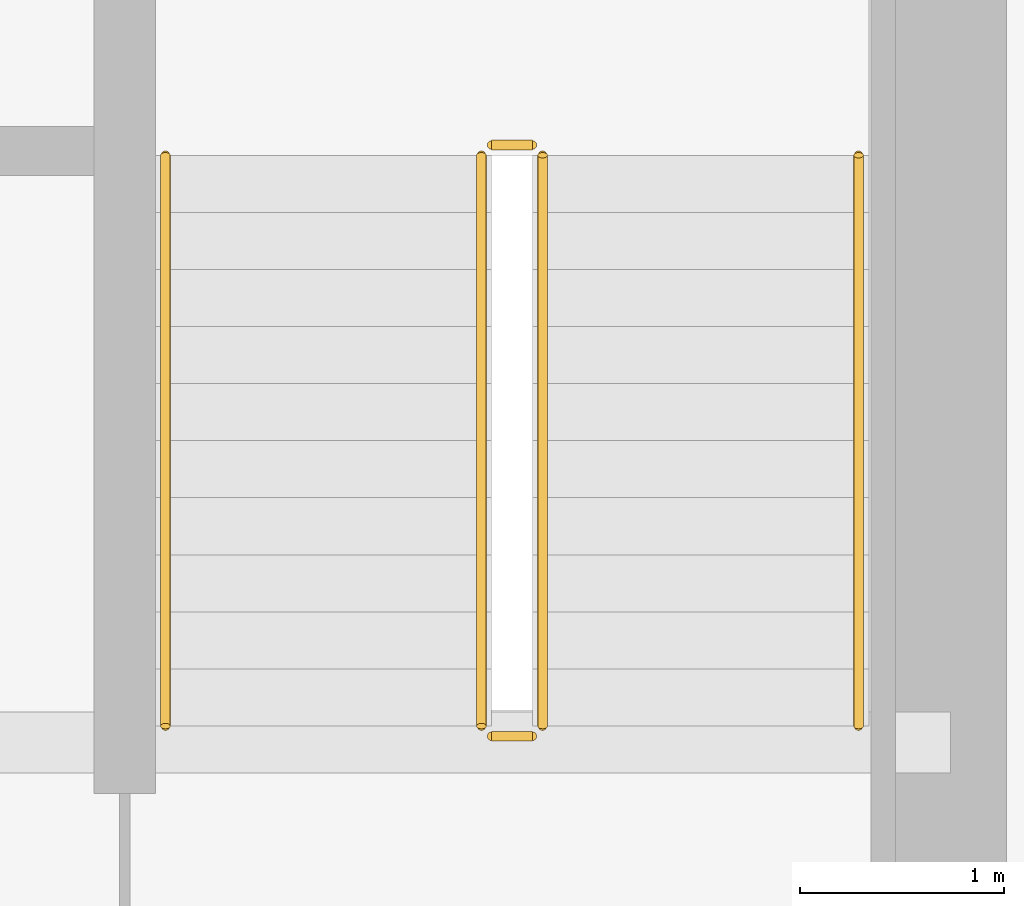
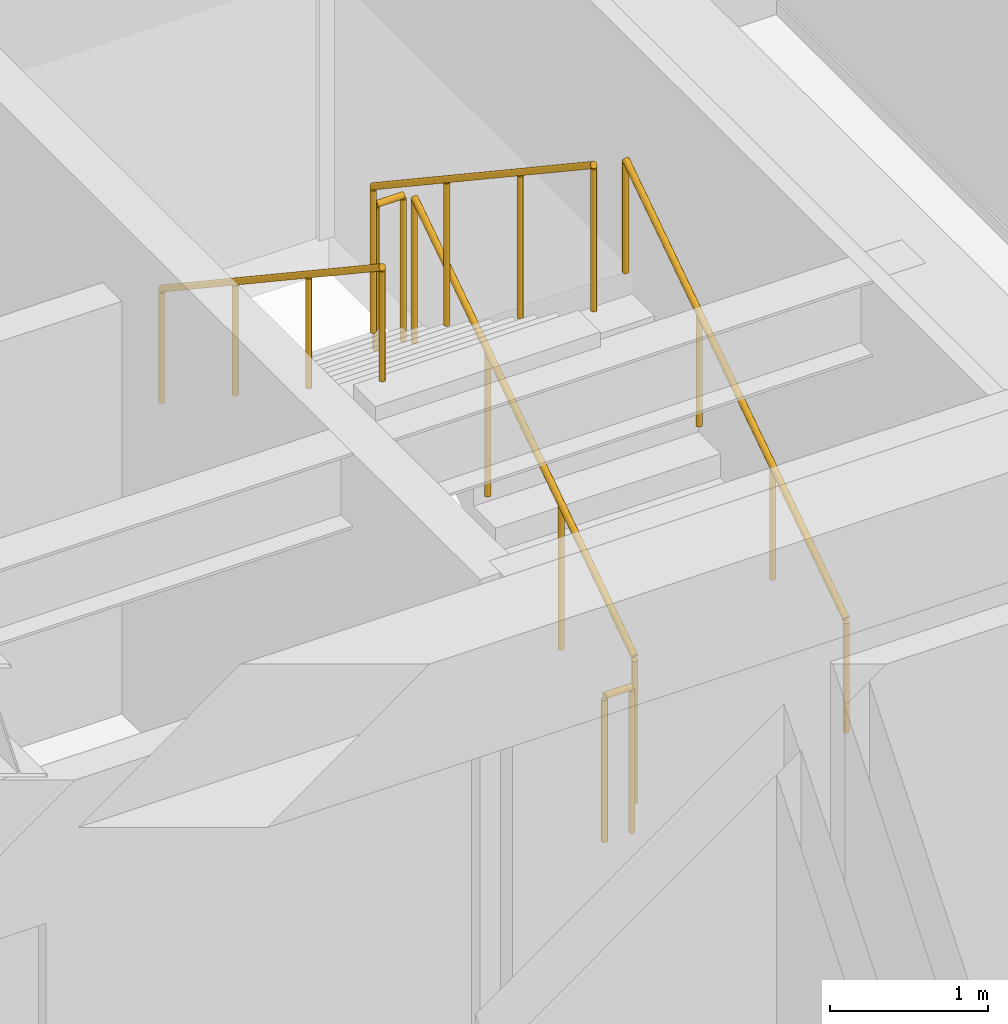
# One storey, part 33 of 33: 6 railings.
"""IFC4 building model written with IfcOpenShell, lengths in metres."""

from ifc_helpers import new_model, si_unit, direction, frame, origin, origin_2d, place, context, subcontext, project, spatial, circle, extrude, source, transform, mapped, material, type_object, type_shapes, element, save


model = new_model("IFC4")

# Units and contexts
model_context = context("Model", 3, precision=1e-05, world=origin(), true_north=direction((0.0, 1.0)))
body_context = subcontext(model_context, "Body", "Model", "MODEL_VIEW")
ifc_project = project(units=[si_unit("LENGTHUNIT", "METRE"), si_unit("AREAUNIT", "SQUARE_METRE"), si_unit("VOLUMEUNIT", "CUBIC_METRE"), si_unit("PLANEANGLEUNIT", "RADIAN"), si_unit("MASSUNIT", "GRAM", prefix="KILO")], contexts=[model_context])

# Site, building, storey
site_placement = place(None, origin())
site = spatial("IfcSite", under=ifc_project, at=site_placement, CompositionType="ELEMENT")
building_placement = place(site_placement, origin())
building = spatial("IfcBuilding", under=site, at=building_placement, Name="Haelvirn Gate Laboratories", CompositionType="ELEMENT")
storey_placement = place(building_placement, frame((0.0, 0.0, 250.60009765625)))
storey = spatial("IfcBuildingStorey", under=building, at=storey_placement, Name="L60", CompositionType="ELEMENT", Elevation=250.60009765625)

# Railings
ifc_material_1 = material(Name="Galvanised steel SM355 & stainless top rail", Category="steel")
railing_type_1 = type_object("IfcRailingType", Name="RL-GUARD-1150", PredefinedType="GUARDRAIL", material=ifc_material_1)
shared_shape_1 = source(origin(), body_context, "Body", "SweptSolid", [
    extrude(circle(Radius=0.02392578125, at=origin_2d()), frame((0.0, 0.0, 1.1259765625), z_axis=(0.0, 0.832485552168, 0.554046753832), x_axis=(-1.0, 0.0, 0.0)), (0.0, 0.0, 1.0), 3.363525390625),
    extrude(circle(Radius=0.02099609375, at=origin_2d()), origin(), (0.0, 0.0, 1.0), 1.101806640625),
    extrude(circle(Radius=0.02099609375, at=origin_2d()), frame((0.0, 0.933349609375, 0.62109375)), (0.0, 0.0, 1.0), 1.101806640625),
    extrude(circle(Radius=0.02099609375, at=origin_2d()), frame((0.0, 1.86669921875, 1.242431640625)), (0.0, 0.0, 1.0), 1.101806640625),
    extrude(circle(Radius=0.02099609375, at=origin_2d()), frame((0.0, 2.800048828125, 1.863525390625)), (0.0, 0.0, 1.0), 1.101806640625),
])
railing_1_placement = place(storey_placement, frame((65.39990234375, 26.699951171875, 0.186279296875)))
element("IfcRailing", 1, at=railing_1_placement, inside=storey, type_object=railing_type_1, Name="L60 ST2 stair guard 1", PredefinedType="GUARDRAIL", context=body_context, shape_type="MappedRepresentation", body=[
    mapped(shared_shape_1, transform((0.0, 0.0, 0.0), scale=1.0)),
])
ifc_material_2 = material(Name="Brushed stainless steel 316L", Category="steel")
railing_type_2 = type_object("IfcRailingType", Name="RL-HAND-920", PredefinedType="HANDRAIL", material=ifc_material_2)
shared_shape_2 = source(origin(), body_context, "Body", "SweptSolid", [
    extrude(circle(Radius=0.02392578125, at=origin_2d()), frame((0.0, 0.0, 0.8759765625), z_axis=(0.0, 0.832485552168, 0.554046753832), x_axis=(-1.0, 0.0, 0.0)), (0.0, 0.0, 1.0), 3.363525390625),
    extrude(circle(Radius=0.02099609375, at=origin_2d()), origin(), (0.0, 0.0, 1.0), 0.851806640625),
    extrude(circle(Radius=0.02099609375, at=origin_2d()), frame((0.0, 0.933349609375, 0.62109375)), (0.0, 0.0, 1.0), 0.851806640625),
    extrude(circle(Radius=0.02099609375, at=origin_2d()), frame((0.0, 1.86669921875, 1.242431640625)), (0.0, 0.0, 1.0), 0.851806640625),
    extrude(circle(Radius=0.02099609375, at=origin_2d()), frame((0.0, 2.800048828125, 1.863525390625)), (0.0, 0.0, 1.0), 0.851806640625),
])
railing_2_placement = place(storey_placement, frame((66.949951171875, 26.699951171875, 0.186279296875)))
element("IfcRailing", 2, at=railing_2_placement, inside=storey, type_object=railing_type_2, Name="L60 ST2 stair handrail 1", PredefinedType="HANDRAIL", context=body_context, shape_type="MappedRepresentation", body=[
    mapped(shared_shape_2, transform((0.0, 0.0, 0.0), scale=1.0)),
])
shared_shape_3 = source(origin(), body_context, "Body", "SweptSolid", [
    extrude(circle(Radius=0.02392578125, at=origin_2d()), frame((0.0, 0.0, 1.1259765625), z_axis=(0.0, -0.832485552168, 0.554046753832), x_axis=(1.0, 0.0, 0.0)), (0.0, 0.0, 1.0), 3.363525390625),
    extrude(circle(Radius=0.02099609375, at=origin_2d()), origin(), (0.0, 0.0, 1.0), 1.101806640625),
    extrude(circle(Radius=0.02099609375, at=origin_2d()), frame((0.0, -0.933349609375, 0.62109375)), (0.0, 0.0, 1.0), 1.101806640625),
    extrude(circle(Radius=0.02099609375, at=origin_2d()), frame((0.0, -1.86669921875, 1.242431640625)), (0.0, 0.0, 1.0), 1.101806640625),
    extrude(circle(Radius=0.02099609375, at=origin_2d()), frame((0.0, -2.800048828125, 1.863525390625)), (0.0, 0.0, 1.0), 1.101806640625),
])
railing_3_placement = place(storey_placement, frame((65.10009765625, 29.5, 2.236328125)))
element("IfcRailing", 3, at=railing_3_placement, inside=storey, type_object=railing_type_1, Name="L60 ST2 stair guard 3", PredefinedType="GUARDRAIL", context=body_context, shape_type="MappedRepresentation", body=[
    mapped(shared_shape_3, transform((0.0, 0.0, 0.0), scale=1.0)),
])
shared_shape_4 = source(origin(), body_context, "Body", "SweptSolid", [
    extrude(circle(Radius=0.02392578125, at=origin_2d()), frame((0.0, 0.0, 0.8759765625), z_axis=(0.0, -0.832485552168, 0.554046753832), x_axis=(1.0, 0.0, 0.0)), (0.0, 0.0, 1.0), 3.363525390625),
    extrude(circle(Radius=0.02099609375, at=origin_2d()), origin(), (0.0, 0.0, 1.0), 0.851806640625),
    extrude(circle(Radius=0.02099609375, at=origin_2d()), frame((0.0, -0.933349609375, 0.62109375)), (0.0, 0.0, 1.0), 0.851806640625),
    extrude(circle(Radius=0.02099609375, at=origin_2d()), frame((0.0, -1.86669921875, 1.242431640625)), (0.0, 0.0, 1.0), 0.851806640625),
    extrude(circle(Radius=0.02099609375, at=origin_2d()), frame((0.0, -2.800048828125, 1.863525390625)), (0.0, 0.0, 1.0), 0.851806640625),
])
type_shapes(railing_type_2, [shared_shape_2, shared_shape_4])
railing_4_placement = place(storey_placement, frame((63.550048828125, 29.5, 2.236328125)))
element("IfcRailing", 4, at=railing_4_placement, inside=storey, type_object=railing_type_2, Name="L60 ST2 stair handrail 2", PredefinedType="HANDRAIL", context=body_context, shape_type="MappedRepresentation", body=[
    mapped(shared_shape_4, transform((0.0, 0.0, 0.0), scale=1.0)),
])
shared_shape_5 = source(origin(), body_context, "Body", "SweptSolid", [
    extrude(circle(Radius=0.02392578125, at=origin_2d()), frame((0.0, 0.0, 1.1259765625), z_axis=(-1.0, 0.0, 0.0), x_axis=(0.0, -1.0, 0.0)), (0.0, 0.0, 1.0), 0.2001953125),
    extrude(circle(Radius=0.02099609375, at=origin_2d()), origin(), (0.0, 0.0, 1.0), 1.101806640625),
    extrude(circle(Radius=0.02099609375, at=origin_2d()), frame((-0.2001953125, 0.0, 0.0)), (0.0, 0.0, 1.0), 1.101806640625),
])
type_shapes(railing_type_1, [shared_shape_1, shared_shape_3, shared_shape_5])
for number, where, name in (
    (5, (65.35009765625, 29.550048828125, 2.0498046875), "L60 ST2 stair guard 2"),
    (6, (65.35009765625, 26.64990234375, 0.0), "L60 ST2 stair guard 4"),
):
    element("IfcRailing", number, at=place(storey_placement, frame(where)), inside=storey, type_object=railing_type_1, Name=name, PredefinedType="GUARDRAIL", context=body_context, shape_type="MappedRepresentation", body=[
        mapped(shared_shape_5, transform((0.0, 0.0, 0.0), scale=1.0)),
    ])

save(model, "model.ifc")
